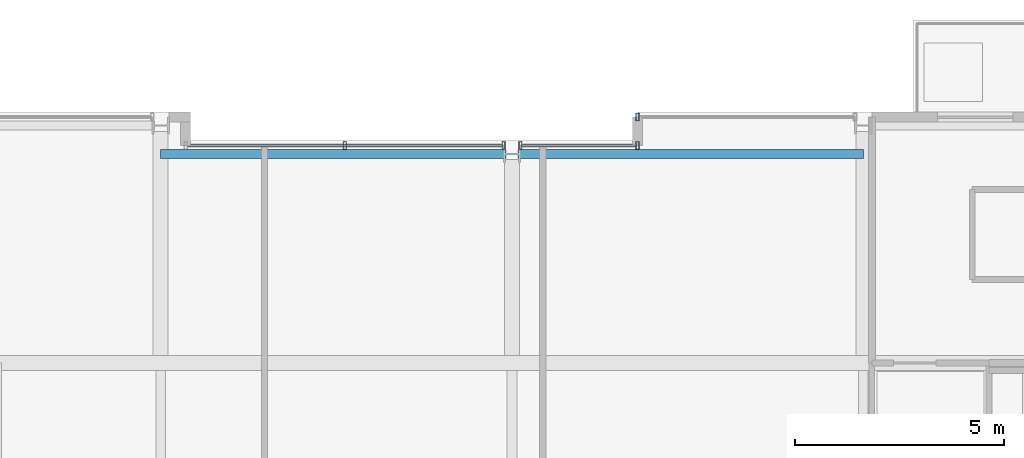
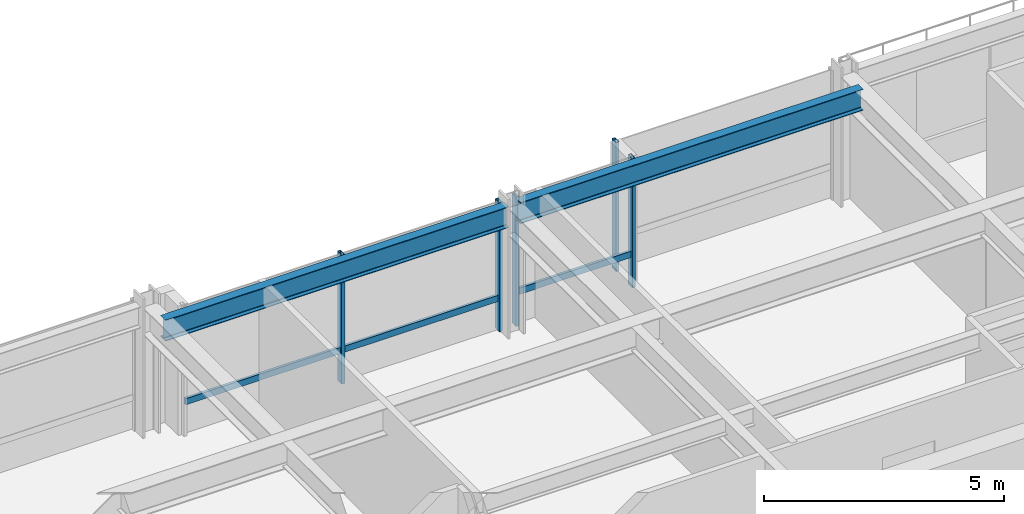
# One storey, part 22 of 33: 7 members, 2 beams, 3 elements without a shape of their own.
"""IFC4 building model written with IfcOpenShell, lengths in metres."""

from ifc_helpers import new_model, si_unit, direction, frame, origin, origin_2d, place, context, subcontext, project, spatial, hollow_rectangle, i_section, extrude, material, layer, layer_set, material_profile, profile_set, type_object, element, aggregate, save


model = new_model("IFC4")

# Units and contexts
model_context = context("Model", 3, precision=1e-05, world=origin(), true_north=direction((0.0, 1.0)))
body_context = subcontext(model_context, "Body", "Model", "MODEL_VIEW")
ifc_project = project(units=[si_unit("LENGTHUNIT", "METRE"), si_unit("AREAUNIT", "SQUARE_METRE"), si_unit("VOLUMEUNIT", "CUBIC_METRE"), si_unit("PLANEANGLEUNIT", "RADIAN"), si_unit("MASSUNIT", "GRAM", prefix="KILO")], contexts=[model_context])

# Site, building, storey
site_placement = place(None, origin())
site = spatial("IfcSite", under=ifc_project, at=site_placement, CompositionType="ELEMENT")
building_placement = place(site_placement, origin())
building = spatial("IfcBuilding", under=site, at=building_placement, Name="Drelvath Grand Hotel", CompositionType="ELEMENT")
storey_placement = place(building_placement, frame((0.0, 0.0, 171.699951171875)))
storey = spatial("IfcBuildingStorey", under=building, at=storey_placement, Name="L44", CompositionType="ELEMENT", Elevation=171.699951171875)

# Curtain wall, member
ifc_material_1 = material(Name="Brushed Pale-Silver Anodised Aluminium Frame", Category="aluminium")
ifc_layer = layer(ifc_material_1, 0.199951171875)
ifc_layer_set = layer_set([ifc_layer], Name="Brushed Pale-Silver Anodised Aluminium Frame")
curtain_wall_type = type_object("IfcCurtainWallType", Name="Stick Curtain Wall CW-04 Brushed Silver Upper-Mid", PredefinedType="NOTDEFINED", material=ifc_layer_set)
curtain_wall_1_placement = place(storey_placement, origin())
curtain_wall_1 = element("IfcCurtainWall", 1, at=curtain_wall_1_placement, inside=storey, type_object=curtain_wall_type, Name="L44 CW-04 Curtain Wall CW04-L44-NM1", PredefinedType="NOTDEFINED")
ifc_material_profile_1 = material_profile(ifc_material_1, hollow_rectangle(XDim=0.06494140625, YDim=0.159912109375, WallThickness=0.00390625, at=origin_2d()), Name="HSS160X65X4")
ifc_profile_set_1 = profile_set([ifc_material_profile_1], Name="Brushed Pale-Silver Anodised Aluminium Frame")
member_type_1 = type_object("IfcMemberType", Name="Curtain Wall Horizontal Transom CW-04 HSS160X65X4", PredefinedType="USERDEFINED", material=ifc_profile_set_1)
member_1_placement = place(storey_placement, frame((-7.760009765625, 48.39990234375, 0.822509765625), z_axis=(1.0, 0.0, 0.0), x_axis=(0.0, 1.0, 0.0)))
member_1 = element("IfcMember", 2, at=member_1_placement, type_object=member_type_1, Name="CW04-L44-NM1 Sill Transom", ObjectType="TRANSOM", PredefinedType="USERDEFINED", context=body_context, shape_type="SweptSolid", body=[
    extrude(hollow_rectangle(XDim=0.06494140625, YDim=0.159912109375, WallThickness=0.00390625, at=origin_2d()), origin(), (0.0, 0.0, 1.0), 7.52001953125),
])

curtain_wall_2_placement = place(storey_placement, origin())
curtain_wall_2 = element("IfcCurtainWall", 3, at=curtain_wall_2_placement, inside=storey, type_object=curtain_wall_type, Name="L44 CW-04 Curtain Wall CW04-L44-NM2", PredefinedType="NOTDEFINED")
member_2_placement = place(storey_placement, frame((0.239990234375, 48.39990234375, 0.822509765625), z_axis=(1.0, 0.0, 0.0), x_axis=(0.0, 1.0, 0.0)))
member_2 = element("IfcMember", 4, at=member_2_placement, type_object=member_type_1, Name="CW04-L44-NM2 Sill Transom", ObjectType="TRANSOM", PredefinedType="USERDEFINED", context=body_context, shape_type="SweptSolid", body=[
    extrude(hollow_rectangle(XDim=0.06494140625, YDim=0.159912109375, WallThickness=0.00390625, at=origin_2d()), origin(), (0.0, 0.0, 1.0), 2.719970703125),
])

# Member
ifc_material_profile_2 = material_profile(ifc_material_1, hollow_rectangle(XDim=0.074951171875, YDim=0.179931640625, WallThickness=0.0048828125, at=origin_2d()), Name="HSS180X75X5")
ifc_profile_set_2 = profile_set([ifc_material_profile_2], Name="Brushed Pale-Silver Anodised Aluminium Frame")
member_type_2 = type_object("IfcMemberType", Name="Curtain Wall Vertical Mullion CW-04 HSS180X75X5", PredefinedType="MULLION", material=ifc_profile_set_2)
member_3_placement = place(storey_placement, frame((-4.0, 48.39990234375, 0.0), z_axis=(0.0, 0.0, 1.0), x_axis=(1.0, 0.0, 0.0)))
member_3 = element("IfcMember", 5, at=member_3_placement, type_object=member_type_2, Name="CW04-L44-NM1 Mullion 2", PredefinedType="MULLION", context=body_context, shape_type="SweptSolid", body=[
    extrude(hollow_rectangle(XDim=0.074951171875, YDim=0.179931640625, WallThickness=0.0048828125, at=origin_2d()), origin(), (0.0, 0.0, 1.0), 3.2900390625),
])

member_4_placement = place(storey_placement, frame((-0.2001953125, 48.39990234375, 0.0), z_axis=(0.0, 0.0, 1.0), x_axis=(1.0, 0.0, 0.0)))
member_4 = element("IfcMember", 6, at=member_4_placement, type_object=member_type_2, Name="CW04-L44-NM1 Mullion 3", PredefinedType="MULLION", context=body_context, shape_type="SweptSolid", body=[
    extrude(hollow_rectangle(XDim=0.074951171875, YDim=0.179931640625, WallThickness=0.0048828125, at=origin_2d()), origin(), (0.0, 0.0, 1.0), 3.2900390625),
])

aggregate(curtain_wall_1, [member_3, member_4, member_1])

member_5_placement = place(storey_placement, frame((0.2001953125, 48.39990234375, 0.0), z_axis=(0.0, 0.0, 1.0), x_axis=(1.0, 0.0, 0.0)))
member_5 = element("IfcMember", 7, at=member_5_placement, type_object=member_type_2, Name="CW04-L44-NM2 Mullion 1", PredefinedType="MULLION", context=body_context, shape_type="SweptSolid", body=[
    extrude(hollow_rectangle(XDim=0.074951171875, YDim=0.179931640625, WallThickness=0.0048828125, at=origin_2d()), origin(), (0.0, 0.0, 1.0), 3.2900390625),
])

member_6_placement = place(storey_placement, frame((3.0, 48.39990234375, 0.0), z_axis=(0.0, 0.0, 1.0), x_axis=(1.0, 0.0, 0.0)))
member_6 = element("IfcMember", 8, at=member_6_placement, type_object=member_type_2, Name="CW04-L44-NM2 Mullion 2", PredefinedType="MULLION", context=body_context, shape_type="SweptSolid", body=[
    extrude(hollow_rectangle(XDim=0.074951171875, YDim=0.179931640625, WallThickness=0.0048828125, at=origin_2d()), origin(), (0.0, 0.0, 1.0), 3.2900390625),
])

aggregate(curtain_wall_2, [member_5, member_6, member_2])

# Curtain wall, member
curtain_wall_3_placement = place(storey_placement, origin())
curtain_wall_3 = element("IfcCurtainWall", 9, at=curtain_wall_3_placement, inside=storey, type_object=curtain_wall_type, Name="L44 CW-04 Curtain Wall CW04-L44-NE1", PredefinedType="NOTDEFINED")
member_7_placement = place(storey_placement, frame((3.0, 49.080078125, 0.0), z_axis=(0.0, 0.0, 1.0), x_axis=(1.0, 0.0, 0.0)))
member_7 = element("IfcMember", 10, at=member_7_placement, type_object=member_type_2, Name="CW04-L44-NE1 Mullion 1", PredefinedType="MULLION", context=body_context, shape_type="SweptSolid", body=[
    extrude(hollow_rectangle(XDim=0.074951171875, YDim=0.179931640625, WallThickness=0.0048828125, at=origin_2d()), origin(), (0.0, 0.0, 1.0), 3.2900390625),
])
aggregate(curtain_wall_3, [member_7])

# Beams
ifc_material_2 = material(Name="Steel ASTM A992 Gr 50", Category="steel")
ifc_material_profile_3 = material_profile(ifc_material_2, i_section(OverallWidth=0.210205078125, OverallDepth=0.53662109375, WebThickness=0.010986328125, FlangeThickness=0.017333984375, FilletRadius=0.01806640625, at=origin_2d()), Name="W21X68")
ifc_profile_set_3 = profile_set([ifc_material_profile_3], Name="Steel ASTM A992 Gr 50")
beam_type = type_object("IfcBeamType", Name="Perimeter Spandrel Beam W21X68", PredefinedType="SPANDREL", material=ifc_profile_set_3)
for number, where, z_axis, x_axis, name in (
    (11, (-8.39990234375, 48.199951171875, 3.021728515625), (1.0, 0.0, 0.0), (0.0, 1.0, 0.0), "L44 Spandrel North Mid W"),
    (12, (0.139892578125, 48.199951171875, 3.021728515625), (1.0, 0.0, 0.0), (0.0, 1.0, 0.0), "L44 Spandrel North Mid E"),
):
    element("IfcBeam", number, at=place(storey_placement, frame(where, z_axis=z_axis, x_axis=x_axis)), inside=storey, type_object=beam_type, Name=name, PredefinedType="SPANDREL", context=body_context, shape_type="SweptSolid", body=[
        extrude(i_section(OverallWidth=0.210205078125, OverallDepth=0.53662109375, WebThickness=0.010986328125, FlangeThickness=0.017333984375, FilletRadius=0.01806640625, at=origin_2d()), origin(), (0.0, 0.0, 1.0), 8.260009765625),
    ])

save(model, "model.ifc")
